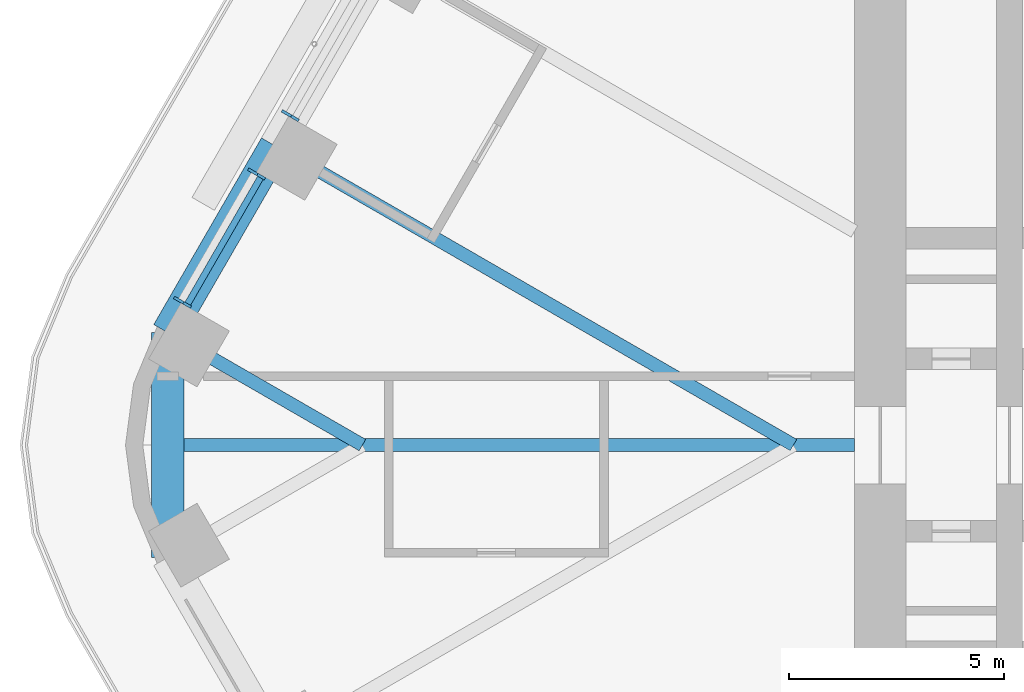
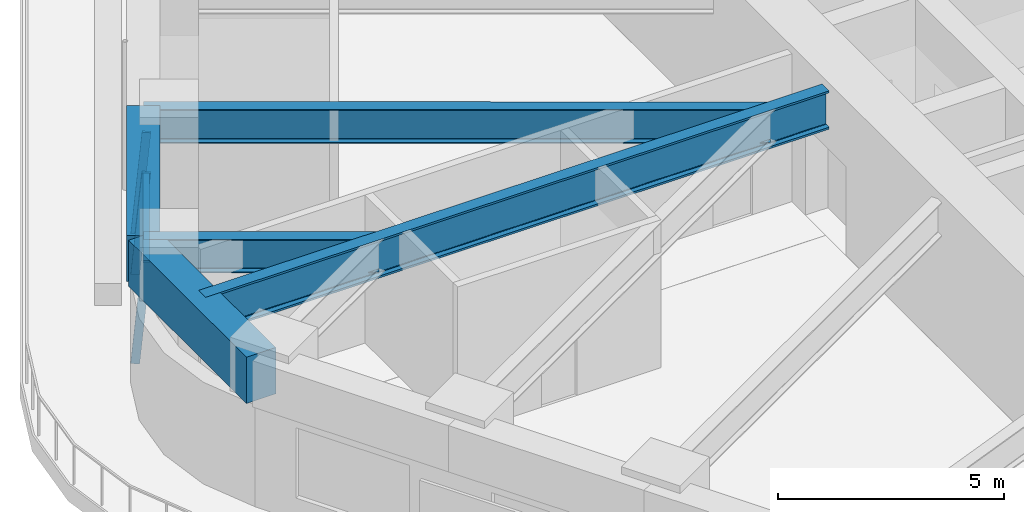
# One storey, part 6 of 24: 5 beams, 4 members, 2 elements without a shape of their own.
"""IFC4 building model written with IfcOpenShell, lengths in metres."""

from ifc_helpers import new_model, si_unit, direction, frame, origin, origin_2d, place, context, subcontext, project, spatial, rectangle, i_section, extrude, material, material_profile, profile_set, type_object, element, aggregate, save


model = new_model("IFC4")

# Units and contexts
model_context = context("Model", 3, precision=1e-05, world=origin(), true_north=direction((0.0, 1.0)))
body_context = subcontext(model_context, "Body", "Model", "MODEL_VIEW")
ifc_project = project(units=[si_unit("LENGTHUNIT", "METRE"), si_unit("AREAUNIT", "SQUARE_METRE"), si_unit("VOLUMEUNIT", "CUBIC_METRE"), si_unit("PLANEANGLEUNIT", "RADIAN"), si_unit("MASSUNIT", "GRAM", prefix="KILO")], contexts=[model_context])

# Site, building, storey
site_placement = place(None, origin())
site = spatial("IfcSite", under=ifc_project, at=site_placement, CompositionType="ELEMENT")
building_placement = place(site_placement, origin())
building = spatial("IfcBuilding", under=site, at=building_placement, Name="Tarfa Lantern Tower", CompositionType="ELEMENT")
storey_placement = place(building_placement, frame((0.0, 0.0, 182.5)))
storey = spatial("IfcBuildingStorey", under=building, at=storey_placement, Name="L41", CompositionType="ELEMENT", Elevation=182.5)

# Curtain wall, member
ifc_material_1 = material(Name="Aluminium framed curtain wall", Category="aluminium")
curtain_wall_type = type_object("IfcCurtainWallType", Name="CW2 CANTED GLAZING MID ZONE 2750", PredefinedType="USERDEFINED", material=ifc_material_1)
curtain_wall_1_placement = place(storey_placement, origin())
curtain_wall_1 = element("IfcCurtainWall", 1, at=curtain_wall_1_placement, inside=storey, type_object=curtain_wall_type, Name="CW2 NWB L41", ObjectType="CURTAIN WALL", PredefinedType="USERDEFINED")
ifc_material_2 = material(Name="Aluminium mullion", Category="aluminium")
ifc_material_profile_1 = material_profile(ifc_material_2, rectangle(XDim=0.06494140625, YDim=0.199951171875, at=origin_2d()), Name="AL MULLION 65x200")
ifc_profile_set_1 = profile_set([ifc_material_profile_1], Name="Aluminium mullion")
member_type_1 = type_object("IfcMemberType", Name="CWM1 MULLION 65x200", PredefinedType="MULLION", material=ifc_profile_set_1)
member_1_placement = place(storey_placement, frame((-31.8056640625, 7.7109375, 0.0), z_axis=(0.078422950161, -0.045267813396, 0.995891894715), x_axis=(0.499919672301, 0.866071776036, 0.0)))
member_1 = element("IfcMember", 2, at=member_1_placement, type_object=member_type_1, Name="CW2 mullion 2", PredefinedType="MULLION", context=body_context, shape_type="SweptSolid", body=[
    extrude(rectangle(XDim=0.06494140625, YDim=0.199951171875, at=origin_2d()), origin(), (0.0, 0.0, 1.0), 2.76123046875),
])
aggregate(curtain_wall_1, [member_1])

# Curtain wall, members
curtain_wall_2_placement = place(storey_placement, origin())
curtain_wall_2 = element("IfcCurtainWall", 3, at=curtain_wall_2_placement, inside=storey, type_object=curtain_wall_type, Name="CW2 NWB L41", ObjectType="CURTAIN WALL", PredefinedType="USERDEFINED")
member_2_placement = place(storey_placement, frame((-32.588134765625, 6.355712890625, 0.0), z_axis=(0.078422950161, -0.045267813396, 0.995891894715), x_axis=(0.499919672301, 0.866071776036, 0.0)))
member_2 = element("IfcMember", 4, at=member_2_placement, type_object=member_type_1, Name="CW2 mullion 1", PredefinedType="MULLION", context=body_context, shape_type="SweptSolid", body=[
    extrude(rectangle(XDim=0.06494140625, YDim=0.199951171875, at=origin_2d()), origin(), (0.0, 0.0, 1.0), 2.76123046875),
])
member_3_placement = place(storey_placement, frame((-34.3076171875, 3.377685546875, 0.0), z_axis=(0.078422950161, -0.045267813396, 0.995891894715), x_axis=(0.499919672301, 0.866071776036, 0.0)))
member_3 = element("IfcMember", 5, at=member_3_placement, type_object=member_type_1, Name="CW2 mullion 2", PredefinedType="MULLION", context=body_context, shape_type="SweptSolid", body=[
    extrude(rectangle(XDim=0.06494140625, YDim=0.199951171875, at=origin_2d()), origin(), (0.0, 0.0, 1.0), 2.76123046875),
])
ifc_material_3 = material(Name="Aluminium transom", Category="aluminium")
ifc_material_profile_2 = material_profile(ifc_material_3, rectangle(XDim=0.14990234375, YDim=0.06494140625, at=origin_2d()), Name="AL TRANSOM 150x65")
ifc_profile_set_2 = profile_set([ifc_material_profile_2], Name="Aluminium transom")
member_type_2 = type_object("IfcMemberType", Name="CWT1 TRANSOM 150x65", PredefinedType="USERDEFINED", material=ifc_profile_set_2)
member_4_placement = place(storey_placement, frame((-32.390380859375, 6.2041015625, 2.717529296875), z_axis=(-0.500014760403, -0.866016881694, 0.0), x_axis=(0.866016881694, -0.500014760403, 0.0)))
member_4 = element("IfcMember", 6, at=member_4_placement, type_object=member_type_2, Name="CW2 transom 1.2", ObjectType="TRANSOM", PredefinedType="USERDEFINED", context=body_context, shape_type="SweptSolid", body=[
    extrude(rectangle(XDim=0.14990234375, YDim=0.06494140625, at=origin_2d()), origin(), (0.0, 0.0, 1.0), 3.3740234375),
])
aggregate(curtain_wall_2, [member_2, member_3, member_4])

# Beams
ifc_material_4 = material(Name="Concrete C80/95", Category="concrete")
ifc_material_profile_3 = material_profile(ifc_material_4, rectangle(XDim=0.75, YDim=1.25, at=origin_2d()), Name="RC 750x1250")
ifc_profile_set_3 = profile_set([ifc_material_profile_3], Name="Concrete C80/95")
beam_type_1 = type_object("IfcBeamType", Name="EB2 RC 750x1250", PredefinedType="SPANDREL", material=ifc_profile_set_3)
beam_1_placement = place(storey_placement, frame((-32.041015625, 6.943359375, 3.375), z_axis=(-0.500022324899, -0.866012514114, 0.0), x_axis=(0.866012514114, -0.500022324899, 0.0)))
element("IfcBeam", 7, at=beam_1_placement, inside=storey, type_object=beam_type_1, Name="Edge beam NW5", PredefinedType="SPANDREL", context=body_context, shape_type="SweptSolid", body=[
    extrude(rectangle(XDim=0.75, YDim=1.25, at=origin_2d()), origin(), (0.0, 0.0, 1.0), 5.003662109375),
])
beam_2_placement = place(storey_placement, frame((-34.54296875, 2.610107421875, 3.375), z_axis=(0.0, -1.0, 0.0), x_axis=(1.0, 0.0, 0.0)))
element("IfcBeam", 8, at=beam_2_placement, inside=storey, type_object=beam_type_1, Name="Edge beam NW6", PredefinedType="SPANDREL", context=body_context, shape_type="SweptSolid", body=[
    extrude(rectangle(XDim=0.75, YDim=1.25, at=origin_2d()), origin(), (0.0, 0.0, 1.0), 5.22021484375),
])
ifc_material_5 = material(Name="Steel S460M", Category="steel")
ifc_material_profile_4 = material_profile(ifc_material_5, i_section(OverallWidth=0.30859375, OverallDepth=1.036376953125, WebThickness=0.030029296875, FlangeThickness=0.05419921875, FilletRadius=0.030029296875, at=origin_2d()), Name="UB1016x305x487")
ifc_profile_set_4 = profile_set([ifc_material_profile_4], Name="Steel S460M")
beam_type_2 = type_object("IfcBeamType", Name="UB1016x305x487", PredefinedType="BEAM", material=ifc_profile_set_4)
beam_3_placement = place(storey_placement, frame((-18.60009765625, 0.0, 3.48193359375), z_axis=(-1.0, 0.0, 0.0), x_axis=(0.0, -1.0, 0.0)))
element("IfcBeam", 9, at=beam_3_placement, inside=storey, type_object=beam_type_2, Name="Hip girder W", PredefinedType="BEAM", context=body_context, shape_type="SweptSolid", body=[
    extrude(i_section(OverallWidth=0.30859375, OverallDepth=1.036376953125, WebThickness=0.030029296875, FlangeThickness=0.05419921875, FilletRadius=0.030029296875, at=origin_2d()), origin(), (0.0, 0.0, 1.0), 15.94287109375),
])
ifc_material_profile_5 = material_profile(ifc_material_5, i_section(OverallWidth=0.305419921875, OverallDepth=0.91845703125, WebThickness=0.017333984375, FlangeThickness=0.02783203125, FilletRadius=0.01904296875, at=origin_2d()), Name="UB914x305x253")
ifc_profile_set_5 = profile_set([ifc_material_profile_5], Name="Steel S460M")
beam_type_3 = type_object("IfcBeamType", Name="UB914x305x253", PredefinedType="BEAM", material=ifc_profile_set_5)
beam_4_placement = place(storey_placement, frame((-32.041015625, 6.943359375, 3.540771484375), z_axis=(0.866023096411, -0.500003996466, 0.0), x_axis=(0.500003996466, 0.866023096411, 0.0)))
element("IfcBeam", 10, at=beam_4_placement, inside=storey, type_object=beam_type_3, Name="Floor beam NW5", PredefinedType="BEAM", context=body_context, shape_type="SweptSolid", body=[
    extrude(i_section(OverallWidth=0.305419921875, OverallDepth=0.91845703125, WebThickness=0.017333984375, FlangeThickness=0.02783203125, FilletRadius=0.01904296875, at=origin_2d()), origin(), (0.0, 0.0, 1.0), 13.88671875),
])
beam_5_placement = place(storey_placement, frame((-34.54296875, 2.610107421875, 3.540771484375), z_axis=(0.866021250859, -0.500007193008, 0.0), x_axis=(0.500007193008, 0.866021250859, 0.0)))
element("IfcBeam", 11, at=beam_5_placement, inside=storey, type_object=beam_type_3, Name="Floor beam NW6", PredefinedType="BEAM", context=body_context, shape_type="SweptSolid", body=[
    extrude(i_section(OverallWidth=0.305419921875, OverallDepth=0.91845703125, WebThickness=0.017333984375, FlangeThickness=0.02783203125, FilletRadius=0.01904296875, at=origin_2d()), origin(), (0.0, 0.0, 1.0), 5.22021484375),
])

save(model, "model.ifc")
